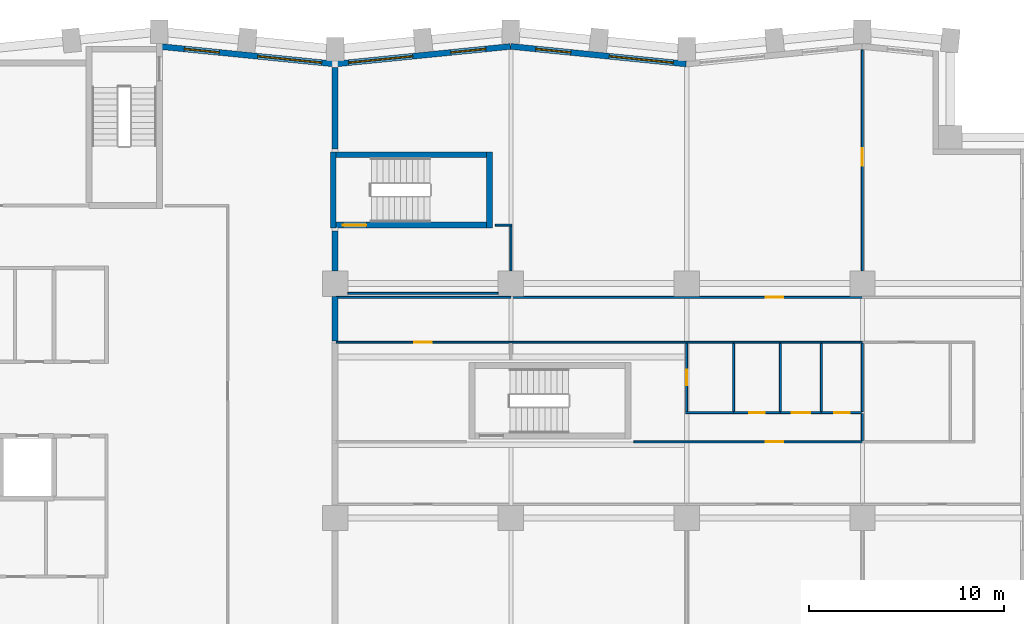
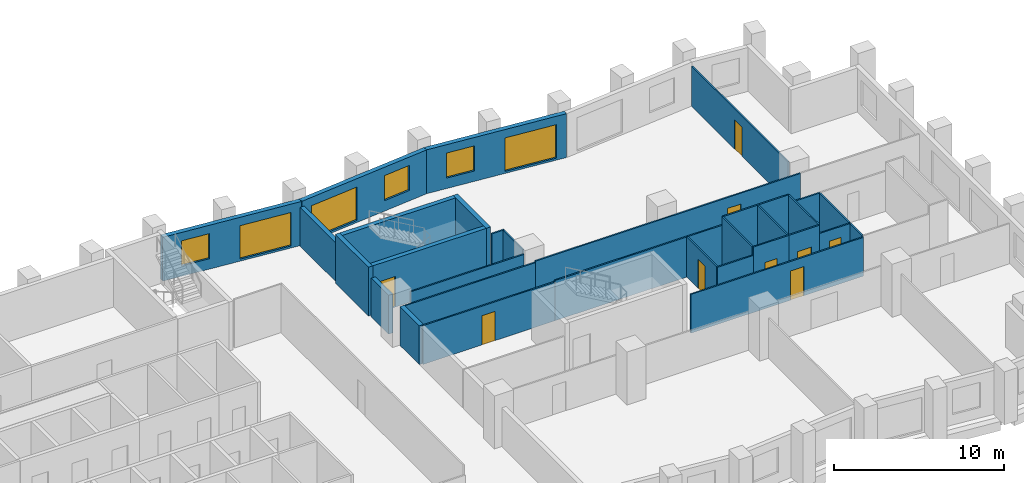
# One storey, part 7 of 11: 33 walls, 9 doors, 6 windows, 15 openings.
"""IFC4 building model written with IfcOpenShell, lengths in metres."""

from ifc_helpers import new_model, si_unit, direction, frame, frame_2d, origin, place, context, subcontext, project, spatial, rectangle, extrude, material, layer, layer_set, type_object, element, fill, save


model = new_model("IFC4")

# Units and contexts
model_context = context("Model", 3, precision=1e-05, world=origin(), true_north=direction((0.0, 1.0)))
body_context = subcontext(model_context, "Body", "Model", "MODEL_VIEW")
ifc_project = project(units=[si_unit("LENGTHUNIT", "METRE"), si_unit("AREAUNIT", "SQUARE_METRE"), si_unit("VOLUMEUNIT", "CUBIC_METRE"), si_unit("PLANEANGLEUNIT", "RADIAN"), si_unit("MASSUNIT", "GRAM", prefix="KILO")], contexts=[model_context])

# Site, building, storey
site_placement = place(None, origin())
site = spatial("IfcSite", under=ifc_project, at=site_placement, CompositionType="ELEMENT")
building_placement = place(site_placement, origin())
building = spatial("IfcBuilding", under=site, at=building_placement, Name="Brondeck Convention Tower", CompositionType="ELEMENT")
storey_placement = place(building_placement, frame((0.0, 0.0, 103.699951171875)))
storey = spatial("IfcBuildingStorey", under=building, at=storey_placement, Name="L24", CompositionType="ELEMENT", Elevation=103.699951171875)

# Walls
ifc_material_1 = material(Name="Concrete compartment wall C30/37", Category="concrete")
ifc_layer_1 = layer(ifc_material_1, 0.300048828125)
ifc_layer_set_1 = layer_set([ifc_layer_1], Name="Compartment wall 300")
wall_type_1 = type_object("IfcWallType", Name="Compartment wall 300", PredefinedType="PARTITIONING", material=ifc_layer_set_1)
wall_1_placement = place(storey_placement, frame((36.0, 48.050048828125, 0.0), z_axis=(0.0, 0.0, 1.0), x_axis=(0.0, 1.0, 0.0)))
element("IfcWall", 1, at=wall_1_placement, inside=storey, type_object=wall_type_1, Name="FLR-L24-W064", PredefinedType="PARTITIONING", context=body_context, shape_type="SweptSolid", body=[
    extrude(rectangle(XDim=2.280029296875, YDim=0.300048828125, at=frame_2d((1.14013671875, 0.0))), origin(), (0.0, 0.0, 1.0), 2.780029296875),
])
wall_2_placement = place(storey_placement, frame((36.0, 51.655029296875, 0.0), z_axis=(0.0, 0.0, 1.0), x_axis=(0.0, 1.0, 0.0)))
element("IfcWall", 2, at=wall_2_placement, inside=storey, type_object=wall_type_1, Name="FLR-L24-W069", PredefinedType="PARTITIONING", context=body_context, shape_type="SweptSolid", body=[
    extrude(rectangle(XDim=2.044921875, YDim=0.300048828125, at=frame_2d((1.0224609375, 0.0))), origin(), (0.0, 0.0, 1.0), 2.780029296875),
])
wall_3_placement = place(storey_placement, frame((36.0, 57.89990234375, 0.0), z_axis=(0.0, 0.0, 1.0), x_axis=(0.0, 1.0, 0.0)))
element("IfcWall", 3, at=wall_3_placement, inside=storey, type_object=wall_type_1, Name="FLR-L24-W074", PredefinedType="PARTITIONING", context=body_context, shape_type="SweptSolid", body=[
    extrude(rectangle(XDim=4.175537109375, YDim=0.300048828125, at=frame_2d((2.087890625, 0.0))), origin(), (0.0, 0.0, 1.0), 2.780029296875),
])

# Wall, openings, windows
ifc_material_2 = material(Name="Precast concrete C50/60 bronze finish", Category="concrete")
ifc_layer_2 = layer(ifc_material_2, 0.070068359375, Name="Bronze precast facing")
ifc_material_3 = material(Name="Mineral wool")
ifc_layer_3 = layer(ifc_material_3, 0.159912109375, Name="Insulation")
ifc_material_4 = material(Name="Concrete C35/45", Category="concrete")
ifc_layer_4 = layer(ifc_material_4, 0.070068359375, Name="Backing")
ifc_layer_set_2 = layer_set([ifc_layer_2, ifc_layer_3, ifc_layer_4], Name="External infill wall, precast concrete C50/60 bronze facing")
wall_type_2 = type_object("IfcWallType", Name="External infill wall, precast concrete C50/60 bronze facing", PredefinedType="SOLIDWALL", material=ifc_layer_set_2)
wall_4_placement = place(storey_placement, frame((44.985107421875, 63.147705078125, 0.0), z_axis=(0.0, 0.0, 1.0), x_axis=(0.995037993253, -0.099495688264, 0.0)))
wall_4 = element("IfcWall", 4, at=wall_4_placement, inside=storey, type_object=wall_type_2, Name="ENV-EW-L24-P0-A-N-11", PredefinedType="SOLIDWALL", context=body_context, shape_type="SweptSolid", body=[
    extrude(rectangle(XDim=9.030029296875, YDim=0.300048828125, at=frame_2d((4.51513671875, 0.0))), origin(), (0.0, 0.0, 1.0), 3.150146484375),
])
opening_1_placement = place(wall_4_placement, frame((1.30126953125, 0.0, 0.75)))
opening_1 = element("IfcOpeningElement", 5, at=opening_1_placement, cuts=wall_4, Name="Opening W10", PredefinedType="OPENING", context=body_context, shape_type="SweptSolid", body=[
    extrude(rectangle(XDim=1.800048828125, YDim=1.800048828125, at=frame_2d((0.89990234375, 0.89990234375))), frame((0.0, 0.159912109375, 0.0), z_axis=(0.0, -1.0, 0.0), x_axis=(1.0, 0.0, 0.0)), (0.0, 0.0, 1.0), 0.320068359375),
])
opening_2_placement = place(wall_4_placement, frame((5.073486328125, 0.0, 0.14990234375)))
opening_2 = element("IfcOpeningElement", 6, at=opening_2_placement, cuts=wall_4, Name="Opening W9", PredefinedType="OPENING", context=body_context, shape_type="SweptSolid", body=[
    extrude(rectangle(XDim=3.300048828125, YDim=2.39990234375, at=frame_2d((1.64990234375, 1.199951171875))), frame((0.0, 0.159912109375, 0.0), z_axis=(0.0, -1.0, 0.0), x_axis=(1.0, 0.0, 0.0)), (0.0, 0.0, 1.0), 0.320068359375),
])
ifc_material_5 = material(Name="Bronze tinted double glazing", Category="glass")
window_type_1 = type_object("IfcWindowType", Name="Glazed flute window, bronze tinted", PartitioningType="SINGLE_PANEL", PredefinedType="WINDOW", material=ifc_material_5)
window_1_placement = place(opening_2_placement, origin())
window_1 = element("IfcWindow", 7, at=window_1_placement, inside=storey, type_object=window_type_1, Name="ENV-WN-L24-P0-A-N-11", OverallHeight=2.39990234375, OverallWidth=3.300048828125, PartitioningType="SINGLE_PANEL", PredefinedType="WINDOW", context=body_context, shape_type="SweptSolid", body=[
    extrude(rectangle(XDim=3.300048828125, YDim=2.39990234375, at=frame_2d((1.64990234375, 1.199951171875))), frame((0.0, 0.030029296875, 0.0), z_axis=(0.0, -1.0, 0.0), x_axis=(1.0, 0.0, 0.0)), (0.0, 0.0, 1.0), 0.06005859375),
])
fill(opening_2, window_1)
window_type_2 = type_object("IfcWindowType", Name="Punched window, bronze tinted", PartitioningType="SINGLE_PANEL", PredefinedType="WINDOW", material=ifc_material_5)
window_2_placement = place(opening_1_placement, origin())
window_2 = element("IfcWindow", 8, at=window_2_placement, inside=storey, type_object=window_type_2, Name="ENV-WN-L24-P0-A-N-10", OverallHeight=1.800048828125, OverallWidth=1.800048828125, PartitioningType="SINGLE_PANEL", PredefinedType="WINDOW", context=body_context, shape_type="SweptSolid", body=[
    extrude(rectangle(XDim=1.800048828125, YDim=1.800048828125, at=frame_2d((0.89990234375, 0.89990234375))), frame((0.0, 0.030029296875, 0.0), z_axis=(0.0, -1.0, 0.0), x_axis=(1.0, 0.0, 0.0)), (0.0, 0.0, 1.0), 0.06005859375),
])
fill(opening_1, window_2)

wall_5_placement = place(storey_placement, frame((35.985107421875, 62.244873046875, 0.0), z_axis=(0.0, 0.0, 1.0), x_axis=(0.995037993253, 0.099495688264, 0.0)))
wall_5 = element("IfcWall", 9, at=wall_5_placement, inside=storey, type_object=wall_type_2, Name="ENV-EW-L24-P0-A-N-09", PredefinedType="SOLIDWALL", context=body_context, shape_type="SweptSolid", body=[
    extrude(rectangle(XDim=9.030029296875, YDim=0.300048828125, at=frame_2d((4.51513671875, 0.0))), origin(), (0.0, 0.0, 1.0), 3.150146484375),
])
opening_3_placement = place(wall_5_placement, frame((0.701171875, 0.0, 0.14990234375)))
opening_3 = element("IfcOpeningElement", 10, at=opening_3_placement, cuts=wall_5, Name="Opening W9", PredefinedType="OPENING", context=body_context, shape_type="SweptSolid", body=[
    extrude(rectangle(XDim=3.300048828125, YDim=2.39990234375, at=frame_2d((1.64990234375, 1.199951171875))), frame((0.0, 0.159912109375, 0.0), z_axis=(0.0, -1.0, 0.0), x_axis=(1.0, 0.0, 0.0)), (0.0, 0.0, 1.0), 0.320068359375),
])
opening_4_placement = place(wall_5_placement, frame((5.9736328125, 0.0, 0.75)))
opening_4 = element("IfcOpeningElement", 11, at=opening_4_placement, cuts=wall_5, Name="Opening W10", PredefinedType="OPENING", context=body_context, shape_type="SweptSolid", body=[
    extrude(rectangle(XDim=1.800048828125, YDim=1.800048828125, at=frame_2d((0.89990234375, 0.89990234375))), frame((0.0, 0.159912109375, 0.0), z_axis=(0.0, -1.0, 0.0), x_axis=(1.0, 0.0, 0.0)), (0.0, 0.0, 1.0), 0.320068359375),
])
window_3_placement = place(opening_3_placement, origin())
window_3 = element("IfcWindow", 12, at=window_3_placement, inside=storey, type_object=window_type_1, Name="ENV-WN-L24-P0-A-N-08", OverallHeight=2.39990234375, OverallWidth=3.300048828125, PartitioningType="SINGLE_PANEL", PredefinedType="WINDOW", context=body_context, shape_type="SweptSolid", body=[
    extrude(rectangle(XDim=3.300048828125, YDim=2.39990234375, at=frame_2d((1.64990234375, 1.199951171875))), frame((0.0, 0.030029296875, 0.0), z_axis=(0.0, -1.0, 0.0), x_axis=(1.0, 0.0, 0.0)), (0.0, 0.0, 1.0), 0.06005859375),
])
fill(opening_3, window_3)
window_4_placement = place(opening_4_placement, origin())
window_4 = element("IfcWindow", 13, at=window_4_placement, inside=storey, type_object=window_type_2, Name="ENV-WN-L24-P0-A-N-09", OverallHeight=1.800048828125, OverallWidth=1.800048828125, PartitioningType="SINGLE_PANEL", PredefinedType="WINDOW", context=body_context, shape_type="SweptSolid", body=[
    extrude(rectangle(XDim=1.800048828125, YDim=1.800048828125, at=frame_2d((0.89990234375, 0.89990234375))), frame((0.0, 0.030029296875, 0.0), z_axis=(0.0, -1.0, 0.0), x_axis=(1.0, 0.0, 0.0)), (0.0, 0.0, 1.0), 0.06005859375),
])
fill(opening_4, window_4)

wall_6_placement = place(storey_placement, frame((27.07470703125, 63.138916015625, 0.0), z_axis=(0.0, 0.0, 1.0), x_axis=(0.995036108601, -0.099514534519, 0.0)))
wall_6 = element("IfcWall", 14, at=wall_6_placement, inside=storey, type_object=wall_type_2, Name="ENV-EW-L24-P0-A-N-07", PredefinedType="SOLIDWALL", context=body_context, shape_type="SweptSolid", body=[
    extrude(rectangle(XDim=8.93994140625, YDim=0.300048828125, at=frame_2d((4.469970703125, 0.0))), origin(), (0.0, 0.0, 1.0), 3.150146484375),
])
opening_5_placement = place(wall_6_placement, frame((1.211181640625, 0.0, 0.75)))
opening_5 = element("IfcOpeningElement", 15, at=opening_5_placement, cuts=wall_6, Name="Opening W10", PredefinedType="OPENING", context=body_context, shape_type="SweptSolid", body=[
    extrude(rectangle(XDim=1.800048828125, YDim=1.800048828125, at=frame_2d((0.89990234375, 0.89990234375))), frame((0.0, 0.159912109375, 0.0), z_axis=(0.0, -1.0, 0.0), x_axis=(1.0, 0.0, 0.0)), (0.0, 0.0, 1.0), 0.320068359375),
])
opening_6_placement = place(wall_6_placement, frame((4.983642578125, 0.0, 0.14990234375)))
opening_6 = element("IfcOpeningElement", 16, at=opening_6_placement, cuts=wall_6, Name="Opening W9", PredefinedType="OPENING", context=body_context, shape_type="SweptSolid", body=[
    extrude(rectangle(XDim=3.300048828125, YDim=2.39990234375, at=frame_2d((1.64990234375, 1.199951171875))), frame((0.0, 0.159912109375, 0.0), z_axis=(0.0, -1.0, 0.0), x_axis=(1.0, 0.0, 0.0)), (0.0, 0.0, 1.0), 0.320068359375),
])
window_5_placement = place(opening_6_placement, origin())
window_5 = element("IfcWindow", 17, at=window_5_placement, inside=storey, type_object=window_type_1, Name="ENV-WN-L24-P0-A-N-07", OverallHeight=2.39990234375, OverallWidth=3.300048828125, PartitioningType="SINGLE_PANEL", PredefinedType="WINDOW", context=body_context, shape_type="SweptSolid", body=[
    extrude(rectangle(XDim=3.300048828125, YDim=2.39990234375, at=frame_2d((1.64990234375, 1.199951171875))), frame((0.0, 0.030029296875, 0.0), z_axis=(0.0, -1.0, 0.0), x_axis=(1.0, 0.0, 0.0)), (0.0, 0.0, 1.0), 0.06005859375),
])
fill(opening_6, window_5)
window_6_placement = place(opening_5_placement, origin())
window_6 = element("IfcWindow", 18, at=window_6_placement, inside=storey, type_object=window_type_2, Name="ENV-WN-L24-P0-A-N-06", OverallHeight=1.800048828125, OverallWidth=1.800048828125, PartitioningType="SINGLE_PANEL", PredefinedType="WINDOW", context=body_context, shape_type="SweptSolid", body=[
    extrude(rectangle(XDim=1.800048828125, YDim=1.800048828125, at=frame_2d((0.89990234375, 0.89990234375))), frame((0.0, 0.030029296875, 0.0), z_axis=(0.0, -1.0, 0.0), x_axis=(1.0, 0.0, 0.0)), (0.0, 0.0, 1.0), 0.06005859375),
])
fill(opening_5, window_6)

# Wall, opening, door
ifc_material_6 = material(Name="Gypsum board partition on steel studs", Category="steel")
ifc_layer_5 = layer(ifc_material_6, 0.10009765625)
ifc_layer_set_3 = layer_set([ifc_layer_5], Name="Room partition 100")
wall_type_3 = type_object("IfcWallType", Name="Room partition 100", PredefinedType="PARTITIONING", material=ifc_layer_set_3)
wall_7_placement = place(storey_placement, frame((51.300048828125, 42.89990234375, 0.0), z_axis=(0.0, 0.0, 1.0), x_axis=(1.0, 0.0, 0.0)))
wall_7 = element("IfcWall", 19, at=wall_7_placement, inside=storey, type_object=wall_type_3, Name="FLR-L24-W039", PredefinedType="PARTITIONING", context=body_context, shape_type="SweptSolid", body=[
    extrude(rectangle(XDim=11.699951171875, YDim=0.10009765625, at=frame_2d((5.85009765625, 0.0))), origin(), (0.0, 0.0, 1.0), 2.780029296875),
])
opening_7_placement = place(wall_7_placement, frame((6.75, 0.0, 0.0)))
opening_7 = element("IfcOpeningElement", 20, at=opening_7_placement, cuts=wall_7, Name="Opening OF-B-003", PredefinedType="OPENING", context=body_context, shape_type="SweptSolid", body=[
    extrude(rectangle(XDim=0.89990234375, YDim=2.10009765625, at=frame_2d((0.449951171875, 1.050048828125))), frame((0.0, 0.06005859375, 0.0), z_axis=(0.0, -1.0, 0.0), x_axis=(1.0, 0.0, 0.0)), (0.0, 0.0, 1.0), 0.1201171875),
])
ifc_material_7 = material(Name="Solid timber door leaf", Category="wood")
door_type_1 = type_object("IfcDoorType", Name="Single door 900", OperationType="NOTDEFINED", PredefinedType="DOOR", material=ifc_material_7)
door_1_placement = place(opening_7_placement, origin())
door_1 = element("IfcDoor", 21, at=door_1_placement, inside=storey, type_object=door_type_1, Name="Door OF-B-003", OperationType="SINGLE_SWING_LEFT", OverallHeight=2.10009765625, OverallWidth=0.89990234375, PredefinedType="DOOR", context=body_context, shape_type="SweptSolid", body=[
    extrude(rectangle(XDim=0.89990234375, YDim=2.10009765625, at=frame_2d((0.449951171875, 1.050048828125))), frame((0.0, 0.02490234375, 0.0), z_axis=(0.0, -1.0, 0.0), x_axis=(1.0, 0.0, 0.0)), (0.0, 0.0, 1.0), 0.050048828125),
])
fill(opening_7, door_1)

# Walls
wall_8_placement = place(storey_placement, frame((63.0, 44.35009765625, 0.0), z_axis=(0.0, 0.0, 1.0), x_axis=(0.0, -1.0, 0.0)))
element("IfcWall", 22, at=wall_8_placement, inside=storey, type_object=wall_type_3, Name="FLR-L24-W044", PredefinedType="PARTITIONING", context=body_context, shape_type="SweptSolid", body=[
    extrude(rectangle(XDim=1.400146484375, YDim=0.10009765625, at=frame_2d((0.7001953125, 0.0))), origin(), (0.0, 0.0, 1.0), 2.880126953125),
])
wall_9_placement = place(storey_placement, frame((53.949951171875, 44.39990234375, 0.0), z_axis=(0.0, 0.0, 1.0), x_axis=(1.0, 0.0, 0.0)))
element("IfcWall", 23, at=wall_9_placement, inside=storey, type_object=wall_type_3, Name="FLR-L24-W045", PredefinedType="PARTITIONING", context=body_context, shape_type="SweptSolid", body=[
    extrude(rectangle(XDim=2.449951171875, YDim=0.10009765625, at=frame_2d((1.22509765625, 0.0))), origin(), (0.0, 0.0, 1.0), 2.880126953125),
])

# Wall, opening, door
wall_10_placement = place(storey_placement, frame((56.39990234375, 44.39990234375, 0.0), z_axis=(0.0, 0.0, 1.0), x_axis=(1.0, 0.0, 0.0)))
wall_10 = element("IfcWall", 24, at=wall_10_placement, inside=storey, type_object=wall_type_3, Name="FLR-L24-W046", PredefinedType="PARTITIONING", context=body_context, shape_type="SweptSolid", body=[
    extrude(rectangle(XDim=2.400146484375, YDim=0.10009765625, at=frame_2d((1.2001953125, 0.0))), origin(), (0.0, 0.0, 1.0), 3.47998046875),
])
opening_8_placement = place(wall_10_placement, frame((0.800048828125, 0.0, 0.0)))
opening_8 = element("IfcOpeningElement", 25, at=opening_8_placement, cuts=wall_10, Name="Opening OF-B-005", PredefinedType="OPENING", context=body_context, shape_type="SweptSolid", body=[
    extrude(rectangle(XDim=0.800048828125, YDim=2.10009765625, at=frame_2d((0.39990234375, 1.050048828125))), frame((0.0, 0.06005859375, 0.0), z_axis=(0.0, -1.0, 0.0), x_axis=(1.0, 0.0, 0.0)), (0.0, 0.0, 1.0), 0.1201171875),
])
door_type_2 = type_object("IfcDoorType", Name="En-suite door 800", OperationType="NOTDEFINED", PredefinedType="DOOR", material=ifc_material_7)
door_2_placement = place(opening_8_placement, origin())
door_2 = element("IfcDoor", 26, at=door_2_placement, inside=storey, type_object=door_type_2, Name="Door OF-B-005", OperationType="SINGLE_SWING_RIGHT", OverallHeight=2.10009765625, OverallWidth=0.800048828125, PredefinedType="DOOR", context=body_context, shape_type="SweptSolid", body=[
    extrude(rectangle(XDim=0.800048828125, YDim=2.10009765625, at=frame_2d((0.39990234375, 1.050048828125))), frame((0.0, 0.02490234375, 0.0), z_axis=(0.0, -1.0, 0.0), x_axis=(1.0, 0.0, 0.0)), (0.0, 0.0, 1.0), 0.050048828125),
])
fill(opening_8, door_2)

wall_11_placement = place(storey_placement, frame((58.800048828125, 44.39990234375, 0.0), z_axis=(0.0, 0.0, 1.0), x_axis=(1.0, 0.0, 0.0)))
wall_11 = element("IfcWall", 27, at=wall_11_placement, inside=storey, type_object=wall_type_3, Name="FLR-L24-W047", PredefinedType="PARTITIONING", context=body_context, shape_type="SweptSolid", body=[
    extrude(rectangle(XDim=2.099853515625, YDim=0.10009765625, at=frame_2d((1.0498046875, 0.0))), origin(), (0.0, 0.0, 1.0), 3.47998046875),
])
opening_9_placement = place(wall_11_placement, frame((0.574951171875, 0.0, 0.0)))
opening_9 = element("IfcOpeningElement", 28, at=opening_9_placement, cuts=wall_11, Name="Opening OF-B-006", PredefinedType="OPENING", context=body_context, shape_type="SweptSolid", body=[
    extrude(rectangle(XDim=0.949951171875, YDim=2.10009765625, at=frame_2d((0.47509765625, 1.050048828125))), frame((0.0, 0.06005859375, 0.0), z_axis=(0.0, -1.0, 0.0), x_axis=(1.0, 0.0, 0.0)), (0.0, 0.0, 1.0), 0.1201171875),
])
door_type_3 = type_object("IfcDoorType", Name="Accessible door 950", OperationType="NOTDEFINED", PredefinedType="DOOR", material=ifc_material_7)
door_3_placement = place(opening_9_placement, origin())
door_3 = element("IfcDoor", 29, at=door_3_placement, inside=storey, type_object=door_type_3, Name="Door OF-B-006", OperationType="SINGLE_SWING_LEFT", OverallHeight=2.10009765625, OverallWidth=0.949951171875, PredefinedType="DOOR", context=body_context, shape_type="SweptSolid", body=[
    extrude(rectangle(XDim=0.949951171875, YDim=2.10009765625, at=frame_2d((0.47509765625, 1.050048828125))), frame((0.0, 0.02490234375, 0.0), z_axis=(0.0, -1.0, 0.0), x_axis=(1.0, 0.0, 0.0)), (0.0, 0.0, 1.0), 0.050048828125),
])
fill(opening_9, door_3)

wall_12_placement = place(storey_placement, frame((60.89990234375, 44.39990234375, 0.0), z_axis=(0.0, 0.0, 1.0), x_axis=(1.0, 0.0, 0.0)))
wall_12 = element("IfcWall", 30, at=wall_12_placement, inside=storey, type_object=wall_type_3, Name="FLR-L24-W048", PredefinedType="PARTITIONING", context=body_context, shape_type="SweptSolid", body=[
    extrude(rectangle(XDim=2.050048828125, YDim=0.10009765625, at=frame_2d((1.02490234375, 0.0))), origin(), (0.0, 0.0, 1.0), 2.880126953125),
])
opening_10_placement = place(wall_12_placement, frame((0.64990234375, 0.0, 0.0)))
opening_10 = element("IfcOpeningElement", 31, at=opening_10_placement, cuts=wall_12, Name="Opening OF-B-007", PredefinedType="OPENING", context=body_context, shape_type="SweptSolid", body=[
    extrude(rectangle(XDim=0.800048828125, YDim=2.10009765625, at=frame_2d((0.39990234375, 1.050048828125))), frame((0.0, 0.06005859375, 0.0), z_axis=(0.0, -1.0, 0.0), x_axis=(1.0, 0.0, 0.0)), (0.0, 0.0, 1.0), 0.1201171875),
])
ifc_material_8 = material(Name="Steel service door leaf", Category="steel")
door_type_4 = type_object("IfcDoorType", Name="Service door 800", OperationType="NOTDEFINED", PredefinedType="DOOR", material=ifc_material_8)
door_4_placement = place(opening_10_placement, origin())
door_4 = element("IfcDoor", 32, at=door_4_placement, inside=storey, type_object=door_type_4, Name="Door OF-B-007", OperationType="SINGLE_SWING_RIGHT", OverallHeight=2.10009765625, OverallWidth=0.800048828125, PredefinedType="DOOR", context=body_context, shape_type="SweptSolid", body=[
    extrude(rectangle(XDim=0.800048828125, YDim=2.10009765625, at=frame_2d((0.39990234375, 1.050048828125))), frame((0.0, 0.02490234375, 0.0), z_axis=(0.0, -1.0, 0.0), x_axis=(1.0, 0.0, 0.0)), (0.0, 0.0, 1.0), 0.050048828125),
])
fill(opening_10, door_4)

wall_13_placement = place(storey_placement, frame((54.0, 47.949951171875, 0.0), z_axis=(0.0, 0.0, 1.0), x_axis=(0.0, -1.0, 0.0)))
wall_13 = element("IfcWall", 33, at=wall_13_placement, inside=storey, type_object=wall_type_3, Name="FLR-L24-W050", PredefinedType="PARTITIONING", context=body_context, shape_type="SweptSolid", body=[
    extrude(rectangle(XDim=3.5, YDim=0.10009765625, at=frame_2d((1.75, 0.0))), origin(), (0.0, 0.0, 1.0), 2.880126953125),
])
opening_11_placement = place(wall_13_placement, frame((1.35009765625, 0.0, 0.0)))
opening_11 = element("IfcOpeningElement", 34, at=opening_11_placement, cuts=wall_13, Name="Opening OF-B-004", PredefinedType="OPENING", context=body_context, shape_type="SweptSolid", body=[
    extrude(rectangle(XDim=0.800048828125, YDim=2.10009765625, at=frame_2d((0.39990234375, 1.050048828125))), frame((0.0, 0.06005859375, 0.0), z_axis=(0.0, -1.0, 0.0), x_axis=(1.0, 0.0, 0.0)), (0.0, 0.0, 1.0), 0.1201171875),
])
door_5_placement = place(opening_11_placement, origin())
door_5 = element("IfcDoor", 35, at=door_5_placement, inside=storey, type_object=door_type_2, Name="Door OF-B-004", OperationType="SINGLE_SWING_LEFT", OverallHeight=2.10009765625, OverallWidth=0.800048828125, PredefinedType="DOOR", context=body_context, shape_type="SweptSolid", body=[
    extrude(rectangle(XDim=0.800048828125, YDim=2.10009765625, at=frame_2d((0.39990234375, 1.050048828125))), frame((0.0, 0.02490234375, 0.0), z_axis=(0.0, -1.0, 0.0), x_axis=(1.0, 0.0, 0.0)), (0.0, 0.0, 1.0), 0.050048828125),
])
fill(opening_11, door_5)

# Walls
for number, where, z_axis, x_axis, name in (
    (36, (56.39990234375, 47.949951171875, 0.0), (0.0, 0.0, 1.0), (0.0, -1.0, 0.0), "FLR-L24-W051"),
    (37, (58.800048828125, 47.949951171875, 0.0), (0.0, 0.0, 1.0), (0.0, -1.0, 0.0), "FLR-L24-W052"),
    (38, (60.89990234375, 47.949951171875, 0.0), (0.0, 0.0, 1.0), (0.0, -1.0, 0.0), "FLR-L24-W053"),
):
    element("IfcWall", number, at=place(storey_placement, frame(where, z_axis=z_axis, x_axis=x_axis)), inside=storey, type_object=wall_type_3, Name=name, PredefinedType="PARTITIONING", context=body_context, shape_type="SweptSolid", body=[
        extrude(rectangle(XDim=3.5, YDim=0.10009765625, at=frame_2d((1.75, 0.0))), origin(), (0.0, 0.0, 1.0), 3.47998046875),
    ])
wall_14_placement = place(storey_placement, frame((63.0, 47.949951171875, 0.0), z_axis=(0.0, 0.0, 1.0), x_axis=(0.0, -1.0, 0.0)))
element("IfcWall", 39, at=wall_14_placement, inside=storey, type_object=wall_type_3, Name="FLR-L24-W054", PredefinedType="PARTITIONING", context=body_context, shape_type="SweptSolid", body=[
    extrude(rectangle(XDim=3.5, YDim=0.10009765625, at=frame_2d((1.75, 0.0))), origin(), (0.0, 0.0, 1.0), 2.880126953125),
])

# Wall, opening, door
wall_15_placement = place(storey_placement, frame((45.0, 48.0, 0.0), z_axis=(0.0, 0.0, 1.0), x_axis=(-1.0, 0.0, 0.0)))
wall_15 = element("IfcWall", 40, at=wall_15_placement, inside=storey, type_object=wall_type_3, Name="FLR-L24-W056", PredefinedType="PARTITIONING", context=body_context, shape_type="SweptSolid", body=[
    extrude(rectangle(XDim=8.949951171875, YDim=0.10009765625, at=frame_2d((4.47509765625, 0.0))), origin(), (0.0, 0.0, 1.0), 2.780029296875),
])
opening_12_placement = place(wall_15_placement, frame((4.050048828125, 0.0, 0.0)))
opening_12 = element("IfcOpeningElement", 41, at=opening_12_placement, cuts=wall_15, Name="Opening OF-B-002", PredefinedType="OPENING", context=body_context, shape_type="SweptSolid", body=[
    extrude(rectangle(XDim=0.89990234375, YDim=2.10009765625, at=frame_2d((0.449951171875, 1.050048828125))), frame((0.0, 0.06005859375, 0.0), z_axis=(0.0, -1.0, 0.0), x_axis=(1.0, 0.0, 0.0)), (0.0, 0.0, 1.0), 0.1201171875),
])
door_6_placement = place(opening_12_placement, origin())
door_6 = element("IfcDoor", 42, at=door_6_placement, inside=storey, type_object=door_type_1, Name="Door OF-B-002", OperationType="SINGLE_SWING_RIGHT", OverallHeight=2.10009765625, OverallWidth=0.89990234375, PredefinedType="DOOR", context=body_context, shape_type="SweptSolid", body=[
    extrude(rectangle(XDim=0.89990234375, YDim=2.10009765625, at=frame_2d((0.449951171875, 1.050048828125))), frame((0.0, 0.02490234375, 0.0), z_axis=(0.0, -1.0, 0.0), x_axis=(1.0, 0.0, 0.0)), (0.0, 0.0, 1.0), 0.050048828125),
])
fill(opening_12, door_6)

# Walls
wall_16_placement = place(storey_placement, frame((54.0, 48.0, 0.0), z_axis=(0.0, 0.0, 1.0), x_axis=(-1.0, 0.0, 0.0)))
element("IfcWall", 43, at=wall_16_placement, inside=storey, type_object=wall_type_3, Name="FLR-L24-W057", PredefinedType="PARTITIONING", context=body_context, shape_type="SweptSolid", body=[
    extrude(rectangle(XDim=9.0, YDim=0.10009765625, at=frame_2d((4.5, 0.0))), origin(), (0.0, 0.0, 1.0), 2.880126953125),
])
wall_17_placement = place(storey_placement, frame((56.39990234375, 48.0, 0.0), z_axis=(0.0, 0.0, 1.0), x_axis=(-1.0, 0.0, 0.0)))
element("IfcWall", 44, at=wall_17_placement, inside=storey, type_object=wall_type_3, Name="FLR-L24-W058", PredefinedType="PARTITIONING", context=body_context, shape_type="SweptSolid", body=[
    extrude(rectangle(XDim=2.39990234375, YDim=0.10009765625, at=frame_2d((1.199951171875, 0.0))), origin(), (0.0, 0.0, 1.0), 2.880126953125),
])
wall_18_placement = place(storey_placement, frame((58.800048828125, 48.0, 0.0), z_axis=(0.0, 0.0, 1.0), x_axis=(-1.0, 0.0, 0.0)))
element("IfcWall", 45, at=wall_18_placement, inside=storey, type_object=wall_type_3, Name="FLR-L24-W059", PredefinedType="PARTITIONING", context=body_context, shape_type="SweptSolid", body=[
    extrude(rectangle(XDim=2.400146484375, YDim=0.10009765625, at=frame_2d((1.2001953125, 0.0))), origin(), (0.0, 0.0, 1.0), 3.47998046875),
])
wall_19_placement = place(storey_placement, frame((60.89990234375, 48.0, 0.0), z_axis=(0.0, 0.0, 1.0), x_axis=(-1.0, 0.0, 0.0)))
element("IfcWall", 46, at=wall_19_placement, inside=storey, type_object=wall_type_3, Name="FLR-L24-W060", PredefinedType="PARTITIONING", context=body_context, shape_type="SweptSolid", body=[
    extrude(rectangle(XDim=2.099853515625, YDim=0.10009765625, at=frame_2d((1.0498046875, 0.0))), origin(), (0.0, 0.0, 1.0), 3.47998046875),
])
wall_20_placement = place(storey_placement, frame((63.0, 48.0, 0.0), z_axis=(0.0, 0.0, 1.0), x_axis=(-1.0, 0.0, 0.0)))
element("IfcWall", 47, at=wall_20_placement, inside=storey, type_object=wall_type_3, Name="FLR-L24-W061", PredefinedType="PARTITIONING", context=body_context, shape_type="SweptSolid", body=[
    extrude(rectangle(XDim=2.10009765625, YDim=0.10009765625, at=frame_2d((1.050048828125, 0.0))), origin(), (0.0, 0.0, 1.0), 2.880126953125),
])
wall_21_placement = place(storey_placement, frame((36.050048828125, 50.300048828125, 0.0), z_axis=(0.0, 0.0, 1.0), x_axis=(1.0, 0.0, 0.0)))
element("IfcWall", 48, at=wall_21_placement, inside=storey, type_object=wall_type_3, Name="FLR-L24-W065", PredefinedType="PARTITIONING", context=body_context, shape_type="SweptSolid", body=[
    extrude(rectangle(XDim=8.949951171875, YDim=0.10009765625, at=frame_2d((4.47509765625, 0.0))), origin(), (0.0, 0.0, 1.0), 2.780029296875),
])

# Wall, opening, door
wall_22_placement = place(storey_placement, frame((45.0, 50.300048828125, 0.0), z_axis=(0.0, 0.0, 1.0), x_axis=(1.0, 0.0, 0.0)))
wall_22 = element("IfcWall", 49, at=wall_22_placement, inside=storey, type_object=wall_type_3, Name="FLR-L24-W066", PredefinedType="PARTITIONING", context=body_context, shape_type="SweptSolid", body=[
    extrude(rectangle(XDim=18.0, YDim=0.10009765625, at=frame_2d((9.0, 0.0))), origin(), (0.0, 0.0, 1.0), 2.880126953125),
])
opening_13_placement = place(wall_22_placement, frame((13.050048828125, 0.0, 0.0)))
opening_13 = element("IfcOpeningElement", 50, at=opening_13_placement, cuts=wall_22, Name="Opening OF-B-012", PredefinedType="OPENING", context=body_context, shape_type="SweptSolid", body=[
    extrude(rectangle(XDim=0.89990234375, YDim=2.10009765625, at=frame_2d((0.449951171875, 1.050048828125))), frame((0.0, 0.06005859375, 0.0), z_axis=(0.0, -1.0, 0.0), x_axis=(1.0, 0.0, 0.0)), (0.0, 0.0, 1.0), 0.1201171875),
])
door_7_placement = place(opening_13_placement, origin())
door_7 = element("IfcDoor", 51, at=door_7_placement, inside=storey, type_object=door_type_1, Name="Door OF-B-012", OperationType="SINGLE_SWING_LEFT", OverallHeight=2.10009765625, OverallWidth=0.89990234375, PredefinedType="DOOR", context=body_context, shape_type="SweptSolid", body=[
    extrude(rectangle(XDim=0.89990234375, YDim=2.10009765625, at=frame_2d((0.449951171875, 1.050048828125))), frame((0.0, 0.02490234375, 0.0), z_axis=(0.0, -1.0, 0.0), x_axis=(1.0, 0.0, 0.0)), (0.0, 0.0, 1.0), 0.050048828125),
])
fill(opening_13, door_7)

# Walls
wall_23_placement = place(storey_placement, frame((44.344970703125, 50.5, 0.0), z_axis=(0.0, 0.0, 1.0), x_axis=(-1.0, 0.0, 0.0)))
element("IfcWall", 52, at=wall_23_placement, inside=storey, type_object=wall_type_3, Name="FLR-L24-W068", PredefinedType="PARTITIONING", context=body_context, shape_type="SweptSolid", body=[
    extrude(rectangle(XDim=7.68994140625, YDim=0.10009765625, at=frame_2d((3.844970703125, 0.0))), origin(), (0.0, 0.0, 1.0), 3.47998046875),
])
wall_24_placement = place(storey_placement, frame((45.0, 53.949951171875, 0.0), z_axis=(0.0, 0.0, 1.0), x_axis=(0.0, -1.0, 0.0)))
element("IfcWall", 53, at=wall_24_placement, inside=storey, type_object=wall_type_3, Name="FLR-L24-W070", PredefinedType="PARTITIONING", context=body_context, shape_type="SweptSolid", body=[
    extrude(rectangle(XDim=2.294921875, YDim=0.10009765625, at=frame_2d((1.1474609375, 0.0))), origin(), (0.0, 0.0, 1.0), 2.880126953125),
])
wall_25_placement = place(storey_placement, frame((44.199951171875, 54.0, 0.0), z_axis=(0.0, 0.0, 1.0), x_axis=(1.0, 0.0, 0.0)))
element("IfcWall", 54, at=wall_25_placement, inside=storey, type_object=wall_type_3, Name="FLR-L24-W071", PredefinedType="PARTITIONING", context=body_context, shape_type="SweptSolid", body=[
    extrude(rectangle(XDim=0.85009765625, YDim=0.10009765625, at=frame_2d((0.425048828125, 0.0))), origin(), (0.0, 0.0, 1.0), 2.880126953125),
])

# Wall, opening, door
wall_26_placement = place(storey_placement, frame((63.0, 62.9755859375, 0.0), z_axis=(0.0, 0.0, 1.0), x_axis=(0.0, -1.0, 0.0)))
wall_26 = element("IfcWall", 55, at=wall_26_placement, inside=storey, type_object=wall_type_3, Name="FLR-L24-W075", PredefinedType="PARTITIONING", context=body_context, shape_type="SweptSolid", body=[
    extrude(rectangle(XDim=11.320556640625, YDim=0.10009765625, at=frame_2d((5.66015625, 0.0))), origin(), (0.0, 0.0, 1.0), 2.880126953125),
])
opening_14_placement = place(wall_26_placement, frame((5.050537109375, 0.0, 0.0)))
opening_14 = element("IfcOpeningElement", 56, at=opening_14_placement, cuts=wall_26, Name="Opening OF-B-013", PredefinedType="OPENING", context=body_context, shape_type="SweptSolid", body=[
    extrude(rectangle(XDim=0.89990234375, YDim=2.10009765625, at=frame_2d((0.449951171875, 1.050048828125))), frame((0.0, 0.06005859375, 0.0), z_axis=(0.0, -1.0, 0.0), x_axis=(1.0, 0.0, 0.0)), (0.0, 0.0, 1.0), 0.1201171875),
])
door_8_placement = place(opening_14_placement, origin())
door_8 = element("IfcDoor", 57, at=door_8_placement, inside=storey, type_object=door_type_1, Name="Door OF-B-013", OperationType="SINGLE_SWING_LEFT", OverallHeight=2.10009765625, OverallWidth=0.89990234375, PredefinedType="DOOR", context=body_context, shape_type="SweptSolid", body=[
    extrude(rectangle(XDim=0.89990234375, YDim=2.10009765625, at=frame_2d((0.449951171875, 1.050048828125))), frame((0.0, 0.02490234375, 0.0), z_axis=(0.0, -1.0, 0.0), x_axis=(1.0, 0.0, 0.0)), (0.0, 0.0, 1.0), 0.050048828125),
])
fill(opening_14, door_8)

ifc_material_9 = material(Name="Concrete C70/85", Category="concrete")
ifc_layer_6 = layer(ifc_material_9, 0.300048828125)
ifc_layer_set_4 = layer_set([ifc_layer_6], Name="Stair enclosure wall 300 Concrete C70/85")
wall_type_4 = type_object("IfcWallType", Name="Stair enclosure wall 300 Concrete C70/85", PredefinedType="SHEAR", material=ifc_layer_set_4)
wall_27_placement = place(storey_placement, frame((36.050048828125, 54.0, 0.0), z_axis=(0.0, 0.0, 1.0), x_axis=(1.0, 0.0, 0.0)))
wall_27 = element("IfcWall", 58, at=wall_27_placement, inside=storey, type_object=wall_type_4, Name="L24 core wall", PredefinedType="SHEAR", context=body_context, shape_type="SweptSolid", body=[
    extrude(rectangle(XDim=7.699951171875, YDim=0.300048828125, at=frame_2d((3.85009765625, 0.0))), origin(), (0.0, 0.0, 1.0), 3.5),
])
opening_15_placement = place(wall_27_placement, frame((0.35009765625, 0.0, 0.0)))
opening_15 = element("IfcOpeningElement", 59, at=opening_15_placement, cuts=wall_27, Name="Opening C15-19", PredefinedType="OPENING", context=body_context, shape_type="SweptSolid", body=[
    extrude(rectangle(XDim=1.199951171875, YDim=2.199951171875, at=frame_2d((0.60009765625, 1.10009765625))), frame((0.0, 0.159912109375, 0.0), z_axis=(0.0, -1.0, 0.0), x_axis=(1.0, 0.0, 0.0)), (0.0, 0.0, 1.0), 0.320068359375),
])
ifc_material_10 = material(Name="Steel fire door", Category="steel")
door_type_5 = type_object("IfcDoorType", Name="Stair door 1200x2200 EI 90", OperationType="NOTDEFINED", PredefinedType="DOOR", material=ifc_material_10)
door_9_placement = place(opening_15_placement, origin())
door_9 = element("IfcDoor", 60, at=door_9_placement, inside=storey, type_object=door_type_5, Name="L24 Stair door ST-AE", OperationType="SINGLE_SWING_LEFT", OverallHeight=2.199951171875, OverallWidth=1.199951171875, PredefinedType="DOOR", context=body_context, shape_type="SweptSolid", body=[
    extrude(rectangle(XDim=1.199951171875, YDim=2.199951171875, at=frame_2d((0.60009765625, 1.10009765625))), frame((0.0, 0.02490234375, 0.0), z_axis=(0.0, -1.0, 0.0), x_axis=(1.0, 0.0, 0.0)), (0.0, 0.0, 1.0), 0.050048828125),
])
fill(opening_15, door_9)

# Walls
wall_28_placement = place(storey_placement, frame((36.050048828125, 57.60009765625, 0.0), z_axis=(0.0, 0.0, 1.0), x_axis=(1.0, 0.0, 0.0)))
element("IfcWall", 61, at=wall_28_placement, inside=storey, type_object=wall_type_4, Name="L24 core wall", PredefinedType="SHEAR", context=body_context, shape_type="SweptSolid", body=[
    extrude(rectangle(XDim=7.699951171875, YDim=0.300048828125, at=frame_2d((3.85009765625, 0.0))), origin(), (0.0, 0.0, 1.0), 3.5),
])
for number, where, z_axis, x_axis, name in (
    (62, (35.89990234375, 53.85009765625, 0.0), (0.0, 0.0, 1.0), (0.0, 1.0, 0.0), "L24 core wall"),
    (63, (43.89990234375, 53.85009765625, 0.0), (0.0, 0.0, 1.0), (0.0, 1.0, 0.0), "L24 core wall"),
):
    element("IfcWall", number, at=place(storey_placement, frame(where, z_axis=z_axis, x_axis=x_axis)), inside=storey, type_object=wall_type_4, Name=name, PredefinedType="SHEAR", context=body_context, shape_type="SweptSolid", body=[
        extrude(rectangle(XDim=3.89990234375, YDim=0.300048828125, at=frame_2d((1.949951171875, 0.0))), origin(), (0.0, 0.0, 1.0), 3.5),
    ])

save(model, "model.ifc")
